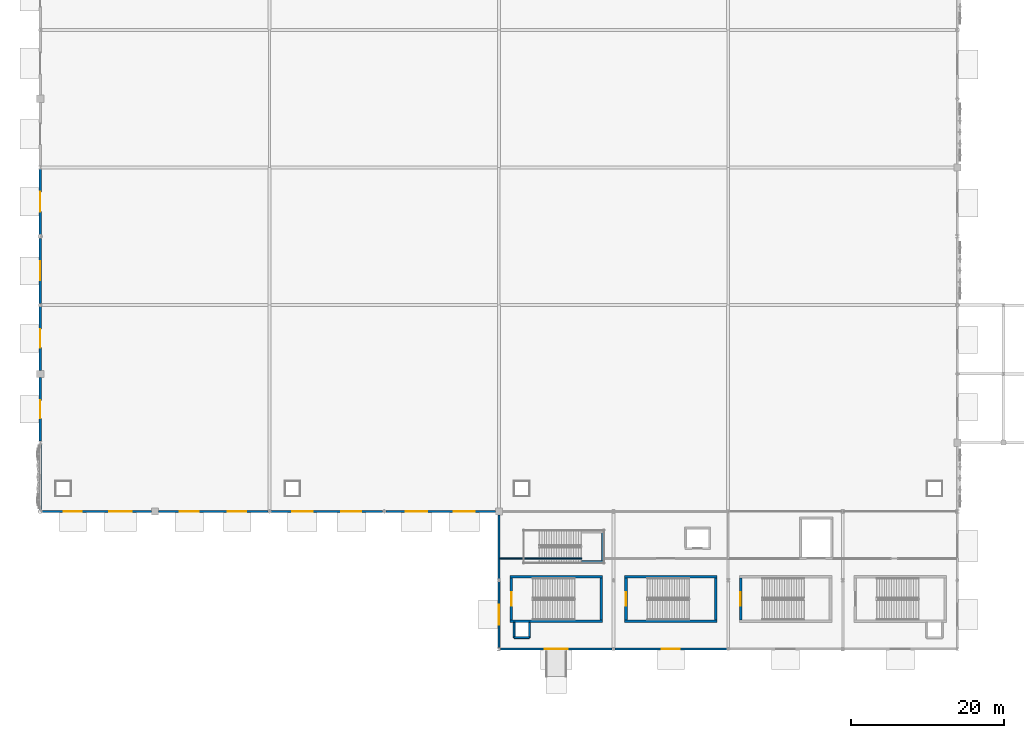
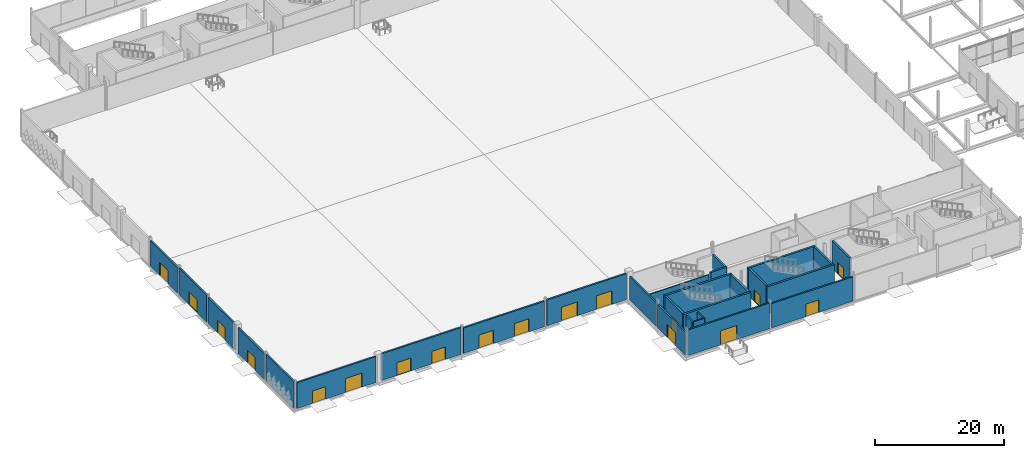
# One storey, part 53 of 94: 28 walls, 18 doors, 18 openings.
"""IFC4 building model written with IfcOpenShell, lengths in metres."""

from ifc_helpers import new_model, si_unit, direction, frame, frame_2d, origin, place, context, subcontext, project, spatial, rectangle, extrude, material, layer, layer_set, type_object, element, fill, save


model = new_model("IFC4")

# Units and contexts
model_context = context("Model", 3, precision=1e-05, world=origin(), true_north=direction((0.0, 1.0)))
body_context = subcontext(model_context, "Body", "Model", "MODEL_VIEW")
ifc_project = project(units=[si_unit("LENGTHUNIT", "METRE"), si_unit("AREAUNIT", "SQUARE_METRE"), si_unit("VOLUMEUNIT", "CUBIC_METRE"), si_unit("PLANEANGLEUNIT", "RADIAN"), si_unit("MASSUNIT", "GRAM", prefix="KILO")], contexts=[model_context])

# Site, building, storey
site_placement = place(None, origin())
site = spatial("IfcSite", under=ifc_project, at=site_placement, CompositionType="ELEMENT")
building_placement = place(site_placement, origin())
building = spatial("IfcBuilding", under=site, at=building_placement, Name="Qamarlyn Nura Convention Centre", CompositionType="ELEMENT")
storey_placement = place(building_placement, origin())
storey = spatial("IfcBuildingStorey", under=building, at=storey_placement, Name="L00", CompositionType="ELEMENT", Elevation=0.0)

# Walls
ifc_material_1 = material(Name="Concrete C50/60", Category="concrete")
ifc_layer_1 = layer(ifc_material_1, 0.35009765625, Name="WT-CORE-350")
ifc_layer_set_1 = layer_set([ifc_layer_1], Name="Concrete C50/60")
wall_type_1 = type_object("IfcWallType", Name="WT-CORE-350", PredefinedType="SHEAR", material=ifc_layer_set_1)
for number, where, z_axis, x_axis, name in (
    (1, (61.449951171875, 3.625, 0.0), (0.0, 0.0, 1.0), (1.0, 0.0, 0.0), "L00 stair core shear wall ST-05-S"),
    (2, (73.550048828125, 9.47509765625, 0.0), (0.0, 0.0, 1.0), (-1.0, 0.0, 0.0), "L00 stair core shear wall ST-05-N"),
):
    element("IfcWall", number, at=place(storey_placement, frame(where, z_axis=z_axis, x_axis=x_axis)), inside=storey, type_object=wall_type_1, Name=name, PredefinedType="SHEAR", context=body_context, shape_type="SweptSolid", body=[
        extrude(rectangle(XDim=12.10009765625, YDim=0.35009765625, at=frame_2d((6.050048828125, 0.0))), origin(), (0.0, 0.0, 1.0), 5.179931640625),
    ])

# Wall, opening, door
wall_1_placement = place(storey_placement, frame((61.625, 9.300048828125, 0.0), z_axis=(0.0, 0.0, 1.0), x_axis=(0.0, -1.0, 0.0)))
wall_1 = element("IfcWall", 3, at=wall_1_placement, inside=storey, type_object=wall_type_1, Name="L00 stair core shear wall ST-05-W", PredefinedType="SHEAR", context=body_context, shape_type="SweptSolid", body=[
    extrude(rectangle(XDim=5.5, YDim=0.35009765625, at=frame_2d((2.75, 0.0))), origin(), (0.0, 0.0, 1.0), 5.179931640625),
])
opening_1_placement = place(wall_1_placement, frame((1.85009765625, 0.0, 0.0)))
opening_1 = element("IfcOpeningElement", 4, at=opening_1_placement, cuts=wall_1, Name="Opening DS-014", PredefinedType="OPENING", context=body_context, shape_type="SweptSolid", body=[
    extrude(rectangle(XDim=1.800048828125, YDim=2.199951171875, at=frame_2d((0.89990234375, 1.10009765625))), frame((0.0, 0.18505859375, 0.0), z_axis=(0.0, -1.0, 0.0), x_axis=(1.0, 0.0, 0.0)), (0.0, 0.0, 1.0), 0.3701171875),
])
ifc_material_2 = material(Name="Galvanised fire-rated hollow steel door", Category="steel")
door_type_1 = type_object("IfcDoorType", Name="DR-STAIR-1800", OperationType="DOUBLE_DOOR_SINGLE_SWING", PredefinedType="DOOR", material=ifc_material_2)
door_1_placement = place(opening_1_placement, origin())
door_1 = element("IfcDoor", 5, at=door_1_placement, inside=storey, type_object=door_type_1, Name="L00 exit stair door ST-05 (DS-014)", OperationType="DOUBLE_DOOR_SINGLE_SWING", OverallHeight=2.199951171875, OverallWidth=1.800048828125, PredefinedType="DOOR", context=body_context, shape_type="SweptSolid", body=[
    extrude(rectangle(XDim=1.800048828125, YDim=2.199951171875, at=frame_2d((0.89990234375, 1.10009765625))), frame((0.0, 0.02490234375, 0.0), z_axis=(0.0, -1.0, 0.0), x_axis=(1.0, 0.0, 0.0)), (0.0, 0.0, 1.0), 0.050048828125),
])
fill(opening_1, door_1)

# Walls
wall_2_placement = place(storey_placement, frame((73.375, 3.800048828125, 0.0), z_axis=(0.0, 0.0, 1.0), x_axis=(0.0, 1.0, 0.0)))
element("IfcWall", 6, at=wall_2_placement, inside=storey, type_object=wall_type_1, Name="L00 stair core shear wall ST-05-E", PredefinedType="SHEAR", context=body_context, shape_type="SweptSolid", body=[
    extrude(rectangle(XDim=5.5, YDim=0.35009765625, at=frame_2d((2.75, 0.0))), origin(), (0.0, 0.0, 1.0), 5.179931640625),
])
for number, where, z_axis, x_axis, name in (
    (7, (76.449951171875, 3.625, 0.0), (0.0, 0.0, 1.0), (1.0, 0.0, 0.0), "L00 stair core shear wall ST-06-S"),
    (8, (88.550048828125, 9.47509765625, 0.0), (0.0, 0.0, 1.0), (-1.0, 0.0, 0.0), "L00 stair core shear wall ST-06-N"),
):
    element("IfcWall", number, at=place(storey_placement, frame(where, z_axis=z_axis, x_axis=x_axis)), inside=storey, type_object=wall_type_1, Name=name, PredefinedType="SHEAR", context=body_context, shape_type="SweptSolid", body=[
        extrude(rectangle(XDim=12.10009765625, YDim=0.35009765625, at=frame_2d((6.050048828125, 0.0))), origin(), (0.0, 0.0, 1.0), 5.179931640625),
    ])

# Wall, opening, door
wall_3_placement = place(storey_placement, frame((76.625, 9.300048828125, 0.0), z_axis=(0.0, 0.0, 1.0), x_axis=(0.0, -1.0, 0.0)))
wall_3 = element("IfcWall", 9, at=wall_3_placement, inside=storey, type_object=wall_type_1, Name="L00 stair core shear wall ST-06-W", PredefinedType="SHEAR", context=body_context, shape_type="SweptSolid", body=[
    extrude(rectangle(XDim=5.5, YDim=0.35009765625, at=frame_2d((2.75, 0.0))), origin(), (0.0, 0.0, 1.0), 5.179931640625),
])
opening_2_placement = place(wall_3_placement, frame((1.85009765625, 0.0, 0.0)))
opening_2 = element("IfcOpeningElement", 10, at=opening_2_placement, cuts=wall_3, Name="Opening DS-018", PredefinedType="OPENING", context=body_context, shape_type="SweptSolid", body=[
    extrude(rectangle(XDim=1.800048828125, YDim=2.199951171875, at=frame_2d((0.89990234375, 1.10009765625))), frame((0.0, 0.18505859375, 0.0), z_axis=(0.0, -1.0, 0.0), x_axis=(1.0, 0.0, 0.0)), (0.0, 0.0, 1.0), 0.3701171875),
])
door_2_placement = place(opening_2_placement, origin())
door_2 = element("IfcDoor", 11, at=door_2_placement, inside=storey, type_object=door_type_1, Name="L00 exit stair door ST-06 (DS-018)", OperationType="DOUBLE_DOOR_SINGLE_SWING", OverallHeight=2.199951171875, OverallWidth=1.800048828125, PredefinedType="DOOR", context=body_context, shape_type="SweptSolid", body=[
    extrude(rectangle(XDim=1.800048828125, YDim=2.199951171875, at=frame_2d((0.89990234375, 1.10009765625))), frame((0.0, 0.02490234375, 0.0), z_axis=(0.0, -1.0, 0.0), x_axis=(1.0, 0.0, 0.0)), (0.0, 0.0, 1.0), 0.050048828125),
])
fill(opening_2, door_2)

# Wall
wall_4_placement = place(storey_placement, frame((88.375, 3.800048828125, 0.0), z_axis=(0.0, 0.0, 1.0), x_axis=(0.0, 1.0, 0.0)))
element("IfcWall", 12, at=wall_4_placement, inside=storey, type_object=wall_type_1, Name="L00 stair core shear wall ST-06-E", PredefinedType="SHEAR", context=body_context, shape_type="SweptSolid", body=[
    extrude(rectangle(XDim=5.5, YDim=0.35009765625, at=frame_2d((2.75, 0.0))), origin(), (0.0, 0.0, 1.0), 5.179931640625),
])

# Wall, opening, door
wall_5_placement = place(storey_placement, frame((91.625, 9.300048828125, 0.0), z_axis=(0.0, 0.0, 1.0), x_axis=(0.0, -1.0, 0.0)))
wall_5 = element("IfcWall", 13, at=wall_5_placement, inside=storey, type_object=wall_type_1, Name="L00 stair core shear wall ST-07-W", PredefinedType="SHEAR", context=body_context, shape_type="SweptSolid", body=[
    extrude(rectangle(XDim=5.5, YDim=0.35009765625, at=frame_2d((2.75, 0.0))), origin(), (0.0, 0.0, 1.0), 5.179931640625),
])
opening_3_placement = place(wall_5_placement, frame((1.85009765625, 0.0, 0.0)))
opening_3 = element("IfcOpeningElement", 14, at=opening_3_placement, cuts=wall_5, Name="Opening DS-022", PredefinedType="OPENING", context=body_context, shape_type="SweptSolid", body=[
    extrude(rectangle(XDim=1.800048828125, YDim=2.199951171875, at=frame_2d((0.89990234375, 1.10009765625))), frame((0.0, 0.18505859375, 0.0), z_axis=(0.0, -1.0, 0.0), x_axis=(1.0, 0.0, 0.0)), (0.0, 0.0, 1.0), 0.3701171875),
])
door_3_placement = place(opening_3_placement, origin())
door_3 = element("IfcDoor", 15, at=door_3_placement, inside=storey, type_object=door_type_1, Name="L00 exit stair door ST-07 (DS-022)", OperationType="DOUBLE_DOOR_SINGLE_SWING", OverallHeight=2.199951171875, OverallWidth=1.800048828125, PredefinedType="DOOR", context=body_context, shape_type="SweptSolid", body=[
    extrude(rectangle(XDim=1.800048828125, YDim=2.199951171875, at=frame_2d((0.89990234375, 1.10009765625))), frame((0.0, 0.02490234375, 0.0), z_axis=(0.0, -1.0, 0.0), x_axis=(1.0, 0.0, 0.0)), (0.0, 0.0, 1.0), 0.050048828125),
])
fill(opening_3, door_3)

# Walls
wall_6_placement = place(storey_placement, frame((70.820068359375, 11.39990234375, 0.0), z_axis=(0.0, 0.0, 1.0), x_axis=(1.0, 0.0, 0.0)))
element("IfcWall", 16, at=wall_6_placement, inside=storey, type_object=wall_type_1, Name="L00 feature stair support fin wall ST-19-1", PredefinedType="SHEAR", context=body_context, shape_type="SweptSolid", body=[
    extrude(rectangle(XDim=2.800048828125, YDim=0.35009765625, at=frame_2d((1.39990234375, 0.0))), origin(), (0.0, 0.0, 1.0), 5.179931640625),
])
wall_7_placement = place(storey_placement, frame((73.6201171875, 11.39990234375, 0.0), z_axis=(0.0, 0.0, 1.0), x_axis=(0.0, 1.0, 0.0)))
element("IfcWall", 17, at=wall_7_placement, inside=storey, type_object=wall_type_1, Name="L00 feature stair support fin wall ST-19-3", PredefinedType="SHEAR", context=body_context, shape_type="SweptSolid", body=[
    extrude(rectangle(XDim=3.97998046875, YDim=0.35009765625, at=frame_2d((1.989990234375, 0.0))), origin(), (0.0, 0.0, 1.0), 5.179931640625),
])

# Wall, opening, door
ifc_material_3 = material(Name="Concrete C40/50", Category="concrete")
ifc_layer_2 = layer(ifc_material_3, 0.280029296875, Name="WT-EXT-280")
ifc_layer_set_2 = layer_set([ifc_layer_2], Name="Concrete C40/50")
wall_type_2 = type_object("IfcWallType", Name="WT-EXT-280", PredefinedType="SOLIDWALL", material=ifc_layer_set_2)
wall_8_placement = place(storey_placement, frame((74.8154296875, 0.0, 0.0), z_axis=(0.0, 0.0, 1.0), x_axis=(-1.0, 0.0, 0.0)))
wall_8 = element("IfcWall", 18, at=wall_8_placement, inside=storey, type_object=wall_type_2, Name="L00 exterior facade wall WEXT-L00-748-0-602-0", PredefinedType="SOLIDWALL", context=body_context, shape_type="SweptSolid", body=[
    extrude(rectangle(XDim=14.62841796875, YDim=0.280029296875, at=frame_2d((7.314208984375, 0.0))), origin(), (0.0, 0.0, 1.0), 4.864990234375),
])
opening_4_placement = place(wall_8_placement, frame((5.83935546875, 0.0, 0.0)))
opening_4 = element("IfcOpeningElement", 19, at=opening_4_placement, cuts=wall_8, Name="Opening E-16", PredefinedType="OPENING", context=body_context, shape_type="SweptSolid", body=[
    extrude(rectangle(XDim=2.949951171875, YDim=2.679931640625, at=frame_2d((1.47509765625, 1.33984375))), frame((0.0, 0.14990234375, 0.0), z_axis=(0.0, -1.0, 0.0), x_axis=(1.0, 0.0, 0.0)), (0.0, 0.0, 1.0), 0.300048828125),
])
ifc_material_4 = material(Name="Champagne-anodised marine aluminium", Category="aluminium")
door_type_2 = type_object("IfcDoorType", Name="DR-MAIN-2950", OperationType="DOUBLE_DOOR_SINGLE_SWING", PredefinedType="DOOR", material=ifc_material_4)
door_4_placement = place(opening_4_placement, origin())
door_4 = element("IfcDoor", 20, at=door_4_placement, inside=storey, type_object=door_type_2, Name="Final exit E-16", OperationType="DOUBLE_DOOR_SINGLE_SWING", OverallHeight=2.679931640625, OverallWidth=2.949951171875, PredefinedType="DOOR", context=body_context, shape_type="SweptSolid", body=[
    extrude(rectangle(XDim=2.949951171875, YDim=2.679931640625, at=frame_2d((1.47509765625, 1.33984375))), frame((0.0, 0.02490234375, 0.0), z_axis=(0.0, -1.0, 0.0), x_axis=(1.0, 0.0, 0.0)), (0.0, 0.0, 1.0), 0.050048828125),
])
fill(opening_4, door_4)

wall_9_placement = place(storey_placement, frame((89.822265625, 0.0, 0.0), z_axis=(0.0, 0.0, 1.0), x_axis=(-1.0, 0.0, 0.0)))
wall_9 = element("IfcWall", 21, at=wall_9_placement, inside=storey, type_object=wall_type_2, Name="L00 exterior facade wall WEXT-L00-898-0-752-0", PredefinedType="SOLIDWALL", context=body_context, shape_type="SweptSolid", body=[
    extrude(rectangle(XDim=14.6376953125, YDim=0.280029296875, at=frame_2d((7.31884765625, 0.0))), origin(), (0.0, 0.0, 1.0), 4.6259765625),
])
opening_5_placement = place(wall_9_placement, frame((6.143798828125, 0.0, 0.0)))
opening_5 = element("IfcOpeningElement", 22, at=opening_5_placement, cuts=wall_9, Name="Opening E-17", PredefinedType="OPENING", context=body_context, shape_type="SweptSolid", body=[
    extrude(rectangle(XDim=2.35009765625, YDim=2.3798828125, at=frame_2d((1.175048828125, 1.18994140625))), frame((0.0, 0.14990234375, 0.0), z_axis=(0.0, -1.0, 0.0), x_axis=(1.0, 0.0, 0.0)), (0.0, 0.0, 1.0), 0.300048828125),
])
door_type_3 = type_object("IfcDoorType", Name="DR-EXIT-2350", OperationType="DOUBLE_DOOR_SINGLE_SWING", PredefinedType="DOOR", material=ifc_material_4)
door_5_placement = place(opening_5_placement, origin())
door_5 = element("IfcDoor", 23, at=door_5_placement, inside=storey, type_object=door_type_3, Name="Final exit E-17", OperationType="DOUBLE_DOOR_SINGLE_SWING", OverallHeight=2.3798828125, OverallWidth=2.35009765625, PredefinedType="DOOR", context=body_context, shape_type="SweptSolid", body=[
    extrude(rectangle(XDim=2.35009765625, YDim=2.3798828125, at=frame_2d((1.175048828125, 1.18994140625))), frame((0.0, 0.02490234375, 0.0), z_axis=(0.0, -1.0, 0.0), x_axis=(1.0, 0.0, 0.0)), (0.0, 0.0, 1.0), 0.050048828125),
])
fill(opening_5, door_5)

wall_10_placement = place(storey_placement, frame((60.0, 0.18603515625, 0.0), z_axis=(0.0, 0.0, 1.0), x_axis=(0.0, 1.0, 0.0)))
wall_10 = element("IfcWall", 24, at=wall_10_placement, inside=storey, type_object=wall_type_2, Name="L00 exterior facade wall WEXT-L00-600-2-600-88", PredefinedType="SOLIDWALL", context=body_context, shape_type="SweptSolid", body=[
    extrude(rectangle(XDim=8.635986328125, YDim=0.280029296875, at=frame_2d((4.31787109375, 0.0))), origin(), (0.0, 0.0, 1.0), 4.39208984375),
])
opening_6_placement = place(wall_10_placement, frame((3.028076171875, 0.0, 0.0)))
opening_6 = element("IfcOpeningElement", 25, at=opening_6_placement, cuts=wall_10, Name="Opening E-20", PredefinedType="OPENING", context=body_context, shape_type="SweptSolid", body=[
    extrude(rectangle(XDim=2.580078125, YDim=2.47998046875, at=frame_2d((1.2900390625, 1.239990234375))), frame((0.0, 0.14990234375, 0.0), z_axis=(0.0, -1.0, 0.0), x_axis=(1.0, 0.0, 0.0)), (0.0, 0.0, 1.0), 0.300048828125),
])
door_type_4 = type_object("IfcDoorType", Name="DR-EXIT-2580", OperationType="DOUBLE_DOOR_SINGLE_SWING", PredefinedType="DOOR", material=ifc_material_4)
door_6_placement = place(opening_6_placement, origin())
door_6 = element("IfcDoor", 26, at=door_6_placement, inside=storey, type_object=door_type_4, Name="Final exit E-20", OperationType="DOUBLE_DOOR_SINGLE_SWING", OverallHeight=2.47998046875, OverallWidth=2.580078125, PredefinedType="DOOR", context=body_context, shape_type="SweptSolid", body=[
    extrude(rectangle(XDim=2.580078125, YDim=2.47998046875, at=frame_2d((1.2900390625, 1.239990234375))), frame((0.0, 0.02490234375, 0.0), z_axis=(0.0, -1.0, 0.0), x_axis=(1.0, 0.0, 0.0)), (0.0, 0.0, 1.0), 0.050048828125),
])
fill(opening_6, door_6)

# Walls
wall_11_placement = place(storey_placement, frame((60.0, 9.177978515625, 0.0), z_axis=(0.0, 0.0, 1.0), x_axis=(0.0, 1.0, 0.0)))
element("IfcWall", 27, at=wall_11_placement, inside=storey, type_object=wall_type_2, Name="L00 exterior facade wall WEXT-L00-600-92-600-175", PredefinedType="SOLIDWALL", context=body_context, shape_type="SweptSolid", body=[
    extrude(rectangle(XDim=8.346923828125, YDim=0.280029296875, at=frame_2d((4.17333984375, 0.0))), origin(), (0.0, 0.0, 1.0), 4.469970703125),
])
ifc_material_5 = material(Name="Concrete C40/50 with UAE coastal limestone stone facing", Category="masonry")
ifc_layer_3 = layer(ifc_material_5, 0.300048828125, Name="WT-LIME-300")
ifc_layer_set_3 = layer_set([ifc_layer_3], Name="Concrete C40/50 with UAE coastal limestone stone facing")
wall_type_3 = type_object("IfcWallType", Name="WT-LIME-300", PredefinedType="SOLIDWALL", material=ifc_layer_set_3)
wall_12_placement = place(storey_placement, frame((0.0, 18.25390625, 0.0), z_axis=(0.0, 0.0, 1.0), x_axis=(0.0, 1.0, 0.0)))
element("IfcWall", 28, at=wall_12_placement, inside=storey, type_object=wall_type_3, Name="L00 exterior facade wall WEXT-L00-0-183-0-268", PredefinedType="SOLIDWALL", context=body_context, shape_type="SweptSolid", body=[
    extrude(rectangle(XDim=8.53369140625, YDim=0.300048828125, at=frame_2d((4.266845703125, 0.0))), origin(), (0.0, 0.0, 1.0), 5.0849609375),
])

# Wall, opening, door
wall_13_placement = place(storey_placement, frame((0.0, 27.21240234375, 0.0), z_axis=(0.0, 0.0, 1.0), x_axis=(0.0, 1.0, 0.0)))
wall_13 = element("IfcWall", 29, at=wall_13_placement, inside=storey, type_object=wall_type_3, Name="L00 exterior facade wall WEXT-L00-0-272-0-355", PredefinedType="SOLIDWALL", context=body_context, shape_type="SweptSolid", body=[
    extrude(rectangle(XDim=8.3125, YDim=0.300048828125, at=frame_2d((4.15625, 0.0))), origin(), (0.0, 0.0, 1.0), 4.845947265625),
])
opening_7_placement = place(wall_13_placement, frame((2.981201171875, 0.0, 0.0)))
opening_7 = element("IfcOpeningElement", 30, at=opening_7_placement, cuts=wall_13, Name="Opening E-01", PredefinedType="OPENING", context=body_context, shape_type="SweptSolid", body=[
    extrude(rectangle(XDim=2.35009765625, YDim=2.3798828125, at=frame_2d((1.175048828125, 1.18994140625))), frame((0.0, 0.16015625, 0.0), z_axis=(0.0, -1.0, 0.0), x_axis=(1.0, 0.0, 0.0)), (0.0, 0.0, 1.0), 0.320068359375),
])
door_7_placement = place(opening_7_placement, origin())
door_7 = element("IfcDoor", 31, at=door_7_placement, inside=storey, type_object=door_type_3, Name="Main entrance E-01", OperationType="DOUBLE_DOOR_SINGLE_SWING", OverallHeight=2.3798828125, OverallWidth=2.35009765625, PredefinedType="DOOR", context=body_context, shape_type="SweptSolid", body=[
    extrude(rectangle(XDim=2.35009765625, YDim=2.3798828125, at=frame_2d((1.175048828125, 1.18994140625))), frame((0.0, 0.02490234375, 0.0), z_axis=(0.0, -1.0, 0.0), x_axis=(1.0, 0.0, 0.0)), (0.0, 0.0, 1.0), 0.050048828125),
])
fill(opening_7, door_7)

wall_14_placement = place(storey_placement, frame((0.0, 36.47509765625, 0.0), z_axis=(0.0, 0.0, 1.0), x_axis=(0.0, 1.0, 0.0)))
wall_14 = element("IfcWall", 32, at=wall_14_placement, inside=storey, type_object=wall_type_3, Name="L00 exterior facade wall WEXT-L00-0-365-0-448", PredefinedType="SOLIDWALL", context=body_context, shape_type="SweptSolid", body=[
    extrude(rectangle(XDim=8.32177734375, YDim=0.300048828125, at=frame_2d((4.160888671875, 0.0))), origin(), (0.0, 0.0, 1.0), 4.9189453125),
])
opening_8_placement = place(wall_14_placement, frame((2.950927734375, 0.0, 0.0)))
opening_8 = element("IfcOpeningElement", 33, at=opening_8_placement, cuts=wall_14, Name="Opening E-02", PredefinedType="OPENING", context=body_context, shape_type="SweptSolid", body=[
    extrude(rectangle(XDim=2.419921875, YDim=2.39990234375, at=frame_2d((1.2099609375, 1.199951171875))), frame((0.0, 0.16015625, 0.0), z_axis=(0.0, -1.0, 0.0), x_axis=(1.0, 0.0, 0.0)), (0.0, 0.0, 1.0), 0.320068359375),
])
door_type_5 = type_object("IfcDoorType", Name="DR-EXIT-2420", OperationType="DOUBLE_DOOR_SINGLE_SWING", PredefinedType="DOOR", material=ifc_material_4)
door_8_placement = place(opening_8_placement, origin())
door_8 = element("IfcDoor", 34, at=door_8_placement, inside=storey, type_object=door_type_5, Name="Main entrance E-02", OperationType="DOUBLE_DOOR_SINGLE_SWING", OverallHeight=2.39990234375, OverallWidth=2.419921875, PredefinedType="DOOR", context=body_context, shape_type="SweptSolid", body=[
    extrude(rectangle(XDim=2.419921875, YDim=2.39990234375, at=frame_2d((1.2099609375, 1.199951171875))), frame((0.0, 0.02490234375, 0.0), z_axis=(0.0, -1.0, 0.0), x_axis=(1.0, 0.0, 0.0)), (0.0, 0.0, 1.0), 0.050048828125),
])
fill(opening_8, door_8)

wall_15_placement = place(storey_placement, frame((0.0, 45.203125, 0.0), z_axis=(0.0, 0.0, 1.0), x_axis=(0.0, 1.0, 0.0)))
wall_15 = element("IfcWall", 35, at=wall_15_placement, inside=storey, type_object=wall_type_3, Name="L00 exterior facade wall WEXT-L00-0-452-0-537", PredefinedType="SOLIDWALL", context=body_context, shape_type="SweptSolid", body=[
    extrude(rectangle(XDim=8.54296875, YDim=0.300048828125, at=frame_2d((4.271484375, 0.0))), origin(), (0.0, 0.0, 1.0), 5.0849609375),
])
opening_9_placement = place(wall_15_placement, frame((3.021484375, 0.0, 0.0)))
opening_9 = element("IfcOpeningElement", 36, at=opening_9_placement, cuts=wall_15, Name="Opening E-03", PredefinedType="OPENING", context=body_context, shape_type="SweptSolid", body=[
    extrude(rectangle(XDim=2.5, YDim=2.449951171875, at=frame_2d((1.25, 1.22509765625))), frame((0.0, 0.16015625, 0.0), z_axis=(0.0, -1.0, 0.0), x_axis=(1.0, 0.0, 0.0)), (0.0, 0.0, 1.0), 0.320068359375),
])
door_type_6 = type_object("IfcDoorType", Name="DR-EXIT-2500", OperationType="DOUBLE_DOOR_SINGLE_SWING", PredefinedType="DOOR", material=ifc_material_4)
door_9_placement = place(opening_9_placement, origin())
door_9 = element("IfcDoor", 37, at=door_9_placement, inside=storey, type_object=door_type_6, Name="Main entrance E-03", OperationType="DOUBLE_DOOR_SINGLE_SWING", OverallHeight=2.449951171875, OverallWidth=2.5, PredefinedType="DOOR", context=body_context, shape_type="SweptSolid", body=[
    extrude(rectangle(XDim=2.5, YDim=2.449951171875, at=frame_2d((1.25, 1.22509765625))), frame((0.0, 0.02490234375, 0.0), z_axis=(0.0, -1.0, 0.0), x_axis=(1.0, 0.0, 0.0)), (0.0, 0.0, 1.0), 0.050048828125),
])
fill(opening_9, door_9)

wall_16_placement = place(storey_placement, frame((0.0, 54.25390625, 0.0), z_axis=(0.0, 0.0, 1.0), x_axis=(0.0, 1.0, 0.0)))
wall_16 = element("IfcWall", 38, at=wall_16_placement, inside=storey, type_object=wall_type_3, Name="L00 exterior facade wall WEXT-L00-0-543-0-628", PredefinedType="SOLIDWALL", context=body_context, shape_type="SweptSolid", body=[
    extrude(rectangle(XDim=8.53369140625, YDim=0.300048828125, at=frame_2d((4.266845703125, 0.0))), origin(), (0.0, 0.0, 1.0), 4.845947265625),
])
opening_10_placement = place(wall_16_placement, frame((2.976806640625, 0.0, 0.0)))
opening_10 = element("IfcOpeningElement", 39, at=opening_10_placement, cuts=wall_16, Name="Opening E-04", PredefinedType="OPENING", context=body_context, shape_type="SweptSolid", body=[
    extrude(rectangle(XDim=2.580078125, YDim=2.47998046875, at=frame_2d((1.2900390625, 1.239990234375))), frame((0.0, 0.16015625, 0.0), z_axis=(0.0, -1.0, 0.0), x_axis=(1.0, 0.0, 0.0)), (0.0, 0.0, 1.0), 0.320068359375),
])
door_10_placement = place(opening_10_placement, origin())
door_10 = element("IfcDoor", 40, at=door_10_placement, inside=storey, type_object=door_type_4, Name="Main entrance E-04", OperationType="DOUBLE_DOOR_SINGLE_SWING", OverallHeight=2.47998046875, OverallWidth=2.580078125, PredefinedType="DOOR", context=body_context, shape_type="SweptSolid", body=[
    extrude(rectangle(XDim=2.580078125, YDim=2.47998046875, at=frame_2d((1.2900390625, 1.239990234375))), frame((0.0, 0.02490234375, 0.0), z_axis=(0.0, -1.0, 0.0), x_axis=(1.0, 0.0, 0.0)), (0.0, 0.0, 1.0), 0.050048828125),
])
fill(opening_10, door_10)

# Wall, openings, doors
wall_17_placement = place(storey_placement, frame((14.52490234375, 18.0, 0.0), z_axis=(0.0, 0.0, 1.0), x_axis=(-1.0, 0.0, 0.0)))
wall_17 = element("IfcWall", 41, at=wall_17_placement, inside=storey, type_object=wall_type_3, Name="L00 exterior facade wall WEXT-L00-145-180-3-180", PredefinedType="SOLIDWALL", context=body_context, shape_type="SweptSolid", body=[
    extrude(rectangle(XDim=14.27099609375, YDim=0.300048828125, at=frame_2d((7.135498046875, 0.0))), origin(), (0.0, 0.0, 1.0), 4.9189453125),
])
opening_11_placement = place(wall_17_placement, frame((2.542724609375, 0.0, 0.0)))
opening_11 = element("IfcOpeningElement", 42, at=opening_11_placement, cuts=wall_17, Name="Opening E-08", PredefinedType="OPENING", context=body_context, shape_type="SweptSolid", body=[
    extrude(rectangle(XDim=2.949951171875, YDim=2.679931640625, at=frame_2d((1.47509765625, 1.33984375))), frame((0.0, 0.16015625, 0.0), z_axis=(0.0, -1.0, 0.0), x_axis=(1.0, 0.0, 0.0)), (0.0, 0.0, 1.0), 0.320068359375),
])
opening_12_placement = place(wall_17_placement, frame((9.078369140625, 0.0, 0.0)))
opening_12 = element("IfcOpeningElement", 43, at=opening_12_placement, cuts=wall_17, Name="Opening E-09", PredefinedType="OPENING", context=body_context, shape_type="SweptSolid", body=[
    extrude(rectangle(XDim=2.35009765625, YDim=2.3798828125, at=frame_2d((1.175048828125, 1.18994140625))), frame((0.0, 0.16015625, 0.0), z_axis=(0.0, -1.0, 0.0), x_axis=(1.0, 0.0, 0.0)), (0.0, 0.0, 1.0), 0.320068359375),
])
door_11_placement = place(opening_12_placement, origin())
door_11 = element("IfcDoor", 44, at=door_11_placement, inside=storey, type_object=door_type_3, Name="Main entrance E-09", OperationType="DOUBLE_DOOR_SINGLE_SWING", OverallHeight=2.3798828125, OverallWidth=2.35009765625, PredefinedType="DOOR", context=body_context, shape_type="SweptSolid", body=[
    extrude(rectangle(XDim=2.35009765625, YDim=2.3798828125, at=frame_2d((1.175048828125, 1.18994140625))), frame((0.0, 0.02490234375, 0.0), z_axis=(0.0, -1.0, 0.0), x_axis=(1.0, 0.0, 0.0)), (0.0, 0.0, 1.0), 0.050048828125),
])
fill(opening_12, door_11)
door_12_placement = place(opening_11_placement, origin())
door_12 = element("IfcDoor", 45, at=door_12_placement, inside=storey, type_object=door_type_2, Name="Main entrance E-08", OperationType="DOUBLE_DOOR_SINGLE_SWING", OverallHeight=2.679931640625, OverallWidth=2.949951171875, PredefinedType="DOOR", context=body_context, shape_type="SweptSolid", body=[
    extrude(rectangle(XDim=2.949951171875, YDim=2.679931640625, at=frame_2d((1.47509765625, 1.33984375))), frame((0.0, 0.02490234375, 0.0), z_axis=(0.0, -1.0, 0.0), x_axis=(1.0, 0.0, 0.0)), (0.0, 0.0, 1.0), 0.050048828125),
])
fill(opening_11, door_12)

wall_18_placement = place(storey_placement, frame((29.796875, 18.0, 0.0), z_axis=(0.0, 0.0, 1.0), x_axis=(-1.0, 0.0, 0.0)))
wall_18 = element("IfcWall", 46, at=wall_18_placement, inside=storey, type_object=wall_type_3, Name="L00 exterior facade wall WEXT-L00-298-180-155-180", PredefinedType="SOLIDWALL", context=body_context, shape_type="SweptSolid", body=[
    extrude(rectangle(XDim=14.32177734375, YDim=0.300048828125, at=frame_2d((7.160888671875, 0.0))), origin(), (0.0, 0.0, 1.0), 5.0849609375),
])
opening_13_placement = place(wall_18_placement, frame((2.820556640625, 0.0, 0.0)))
opening_13 = element("IfcOpeningElement", 47, at=opening_13_placement, cuts=wall_18, Name="Opening E-10", PredefinedType="OPENING", context=body_context, shape_type="SweptSolid", body=[
    extrude(rectangle(XDim=2.419921875, YDim=2.39990234375, at=frame_2d((1.2099609375, 1.199951171875))), frame((0.0, 0.16015625, 0.0), z_axis=(0.0, -1.0, 0.0), x_axis=(1.0, 0.0, 0.0)), (0.0, 0.0, 1.0), 0.320068359375),
])
opening_14_placement = place(wall_18_placement, frame((9.04150390625, 0.0, 0.0)))
opening_14 = element("IfcOpeningElement", 48, at=opening_14_placement, cuts=wall_18, Name="Opening E-11", PredefinedType="OPENING", context=body_context, shape_type="SweptSolid", body=[
    extrude(rectangle(XDim=2.5, YDim=2.449951171875, at=frame_2d((1.25, 1.22509765625))), frame((0.0, 0.16015625, 0.0), z_axis=(0.0, -1.0, 0.0), x_axis=(1.0, 0.0, 0.0)), (0.0, 0.0, 1.0), 0.320068359375),
])
door_13_placement = place(opening_13_placement, origin())
door_13 = element("IfcDoor", 49, at=door_13_placement, inside=storey, type_object=door_type_5, Name="Main entrance E-10", OperationType="DOUBLE_DOOR_SINGLE_SWING", OverallHeight=2.39990234375, OverallWidth=2.419921875, PredefinedType="DOOR", context=body_context, shape_type="SweptSolid", body=[
    extrude(rectangle(XDim=2.419921875, YDim=2.39990234375, at=frame_2d((1.2099609375, 1.199951171875))), frame((0.0, 0.02490234375, 0.0), z_axis=(0.0, -1.0, 0.0), x_axis=(1.0, 0.0, 0.0)), (0.0, 0.0, 1.0), 0.050048828125),
])
fill(opening_13, door_13)
door_14_placement = place(opening_14_placement, origin())
door_14 = element("IfcDoor", 50, at=door_14_placement, inside=storey, type_object=door_type_6, Name="Final exit E-11", OperationType="DOUBLE_DOOR_SINGLE_SWING", OverallHeight=2.449951171875, OverallWidth=2.5, PredefinedType="DOOR", context=body_context, shape_type="SweptSolid", body=[
    extrude(rectangle(XDim=2.5, YDim=2.449951171875, at=frame_2d((1.25, 1.22509765625))), frame((0.0, 0.02490234375, 0.0), z_axis=(0.0, -1.0, 0.0), x_axis=(1.0, 0.0, 0.0)), (0.0, 0.0, 1.0), 0.050048828125),
])
fill(opening_14, door_14)

wall_19_placement = place(storey_placement, frame((44.796875, 18.0, 0.0), z_axis=(0.0, 0.0, 1.0), x_axis=(-1.0, 0.0, 0.0)))
wall_19 = element("IfcWall", 51, at=wall_19_placement, inside=storey, type_object=wall_type_3, Name="L00 exterior facade wall WEXT-L00-448-180-302-180", PredefinedType="SOLIDWALL", context=body_context, shape_type="SweptSolid", body=[
    extrude(rectangle(XDim=14.59375, YDim=0.300048828125, at=frame_2d((7.296875, 0.0))), origin(), (0.0, 0.0, 1.0), 4.845947265625),
])
opening_15_placement = place(wall_19_placement, frame((2.808349609375, 0.0, 0.0)))
opening_15 = element("IfcOpeningElement", 52, at=opening_15_placement, cuts=wall_19, Name="Opening E-12", PredefinedType="OPENING", context=body_context, shape_type="SweptSolid", body=[
    extrude(rectangle(XDim=2.580078125, YDim=2.47998046875, at=frame_2d((1.2900390625, 1.239990234375))), frame((0.0, 0.16015625, 0.0), z_axis=(0.0, -1.0, 0.0), x_axis=(1.0, 0.0, 0.0)), (0.0, 0.0, 1.0), 0.320068359375),
])
opening_16_placement = place(wall_19_placement, frame((9.170166015625, 0.0, 0.0)))
opening_16 = element("IfcOpeningElement", 53, at=opening_16_placement, cuts=wall_19, Name="Opening E-13", PredefinedType="OPENING", context=body_context, shape_type="SweptSolid", body=[
    extrude(rectangle(XDim=2.64990234375, YDim=2.52001953125, at=frame_2d((1.324951171875, 1.260009765625))), frame((0.0, 0.16015625, 0.0), z_axis=(0.0, -1.0, 0.0), x_axis=(1.0, 0.0, 0.0)), (0.0, 0.0, 1.0), 0.320068359375),
])
door_15_placement = place(opening_15_placement, origin())
door_15 = element("IfcDoor", 54, at=door_15_placement, inside=storey, type_object=door_type_4, Name="Final exit E-12", OperationType="DOUBLE_DOOR_SINGLE_SWING", OverallHeight=2.47998046875, OverallWidth=2.580078125, PredefinedType="DOOR", context=body_context, shape_type="SweptSolid", body=[
    extrude(rectangle(XDim=2.580078125, YDim=2.47998046875, at=frame_2d((1.2900390625, 1.239990234375))), frame((0.0, 0.02490234375, 0.0), z_axis=(0.0, -1.0, 0.0), x_axis=(1.0, 0.0, 0.0)), (0.0, 0.0, 1.0), 0.050048828125),
])
fill(opening_15, door_15)
door_type_7 = type_object("IfcDoorType", Name="DR-EXIT-2650", OperationType="DOUBLE_DOOR_SINGLE_SWING", PredefinedType="DOOR", material=ifc_material_4)
door_16_placement = place(opening_16_placement, origin())
door_16 = element("IfcDoor", 55, at=door_16_placement, inside=storey, type_object=door_type_7, Name="Final exit E-13", OperationType="DOUBLE_DOOR_SINGLE_SWING", OverallHeight=2.52001953125, OverallWidth=2.64990234375, PredefinedType="DOOR", context=body_context, shape_type="SweptSolid", body=[
    extrude(rectangle(XDim=2.64990234375, YDim=2.52001953125, at=frame_2d((1.324951171875, 1.260009765625))), frame((0.0, 0.02490234375, 0.0), z_axis=(0.0, -1.0, 0.0), x_axis=(1.0, 0.0, 0.0)), (0.0, 0.0, 1.0), 0.050048828125),
])
fill(opening_16, door_16)

wall_20_placement = place(storey_placement, frame((59.52490234375, 18.0, 0.0), z_axis=(0.0, 0.0, 1.0), x_axis=(-1.0, 0.0, 0.0)))
wall_20 = element("IfcWall", 56, at=wall_20_placement, inside=storey, type_object=wall_type_3, Name="L00 exterior facade wall WEXT-L00-595-180-452-180", PredefinedType="SOLIDWALL", context=body_context, shape_type="SweptSolid", body=[
    extrude(rectangle(XDim=14.32177734375, YDim=0.300048828125, at=frame_2d((7.160888671875, 0.0))), origin(), (0.0, 0.0, 1.0), 4.9189453125),
])
opening_17_placement = place(wall_20_placement, frame((2.655517578125, 0.0, 0.0)))
opening_17 = element("IfcOpeningElement", 57, at=opening_17_placement, cuts=wall_20, Name="Opening E-14", PredefinedType="OPENING", context=body_context, shape_type="SweptSolid", body=[
    extrude(rectangle(XDim=2.75, YDim=2.580078125, at=frame_2d((1.375, 1.2900390625))), frame((0.0, 0.16015625, 0.0), z_axis=(0.0, -1.0, 0.0), x_axis=(1.0, 0.0, 0.0)), (0.0, 0.0, 1.0), 0.320068359375),
])
opening_18_placement = place(wall_20_placement, frame((8.8662109375, 0.0, 0.0)))
opening_18 = element("IfcOpeningElement", 58, at=opening_18_placement, cuts=wall_20, Name="Opening E-15", PredefinedType="OPENING", context=body_context, shape_type="SweptSolid", body=[
    extrude(rectangle(XDim=2.85009765625, YDim=2.6201171875, at=frame_2d((1.425048828125, 1.31005859375))), frame((0.0, 0.16015625, 0.0), z_axis=(0.0, -1.0, 0.0), x_axis=(1.0, 0.0, 0.0)), (0.0, 0.0, 1.0), 0.320068359375),
])
door_type_8 = type_object("IfcDoorType", Name="DR-MAIN-2750", OperationType="DOUBLE_DOOR_SINGLE_SWING", PredefinedType="DOOR", material=ifc_material_4)
door_17_placement = place(opening_17_placement, origin())
door_17 = element("IfcDoor", 59, at=door_17_placement, inside=storey, type_object=door_type_8, Name="Final exit E-14", OperationType="DOUBLE_DOOR_SINGLE_SWING", OverallHeight=2.580078125, OverallWidth=2.75, PredefinedType="DOOR", context=body_context, shape_type="SweptSolid", body=[
    extrude(rectangle(XDim=2.75, YDim=2.580078125, at=frame_2d((1.375, 1.2900390625))), frame((0.0, 0.02490234375, 0.0), z_axis=(0.0, -1.0, 0.0), x_axis=(1.0, 0.0, 0.0)), (0.0, 0.0, 1.0), 0.050048828125),
])
fill(opening_17, door_17)
door_type_9 = type_object("IfcDoorType", Name="DR-MAIN-2850", OperationType="DOUBLE_DOOR_SINGLE_SWING", PredefinedType="DOOR", material=ifc_material_4)
door_18_placement = place(opening_18_placement, origin())
door_18 = element("IfcDoor", 60, at=door_18_placement, inside=storey, type_object=door_type_9, Name="Final exit E-15", OperationType="DOUBLE_DOOR_SINGLE_SWING", OverallHeight=2.6201171875, OverallWidth=2.85009765625, PredefinedType="DOOR", context=body_context, shape_type="SweptSolid", body=[
    extrude(rectangle(XDim=2.85009765625, YDim=2.6201171875, at=frame_2d((1.425048828125, 1.31005859375))), frame((0.0, 0.02490234375, 0.0), z_axis=(0.0, -1.0, 0.0), x_axis=(1.0, 0.0, 0.0)), (0.0, 0.0, 1.0), 0.050048828125),
])
fill(opening_18, door_18)

# Walls
ifc_material_6 = material(Name="Fire-rated acoustic gypsum board EI 60")
ifc_layer_4 = layer(ifc_material_6, 0.159912109375, Name="WT-PART-160")
ifc_layer_set_4 = layer_set([ifc_layer_4], Name="Fire-rated acoustic gypsum board EI 60")
wall_type_4 = type_object("IfcWallType", Name="WT-PART-160", PredefinedType="PARTITIONING", material=ifc_layer_set_4)
wall_21_placement = place(storey_placement, frame((70.820068359375, 11.840087890625, 0.0), z_axis=(0.0, 0.0, 1.0), x_axis=(-1.0, 0.0, 0.0)))
element("IfcWall", 61, at=wall_21_placement, inside=storey, type_object=wall_type_4, Name="L00 interior partition L00-FOY-WEST-3-2", PredefinedType="PARTITIONING", context=body_context, shape_type="SweptSolid", body=[
    extrude(rectangle(XDim=10.68017578125, YDim=0.159912109375, at=frame_2d((5.340087890625, 0.0))), origin(), (0.0, 0.0, 1.0), 4.469970703125),
])
ifc_material_7 = material(Name="Fire-rated acoustic gypsum board and mineral wool EI 120")
ifc_layer_5 = layer(ifc_material_7, 0.25, Name="WT-SHAFT-250")
ifc_layer_set_5 = layer_set([ifc_layer_5], Name="Fire-rated acoustic gypsum board and mineral wool EI 120")
wall_type_5 = type_object("IfcWallType", Name="WT-SHAFT-250", PredefinedType="SOLIDWALL", material=ifc_layer_set_5)
for number, where, z_axis, x_axis, name in (
    (62, (62.0, 1.5, 0.0), (0.0, 0.0, 1.0), (1.0, 0.0, 0.0), "L00 MEP riser shaft wall 9-S"),
    (63, (62.0, 3.5, 0.0), (0.0, 0.0, 1.0), (0.0, -1.0, 0.0), "L00 MEP riser shaft wall 9-W"),
    (64, (64.0, 1.5, 0.0), (0.0, 0.0, 1.0), (0.0, 1.0, 0.0), "L00 MEP riser shaft wall 9-E"),
):
    element("IfcWall", number, at=place(storey_placement, frame(where, z_axis=z_axis, x_axis=x_axis)), inside=storey, type_object=wall_type_5, Name=name, PredefinedType="SOLIDWALL", context=body_context, shape_type="SweptSolid", body=[
        extrude(rectangle(XDim=2.0, YDim=0.25, at=frame_2d((1.0, 0.0))), origin(), (0.0, 0.0, 1.0), 4.830078125),
    ])

save(model, "model.ifc")
